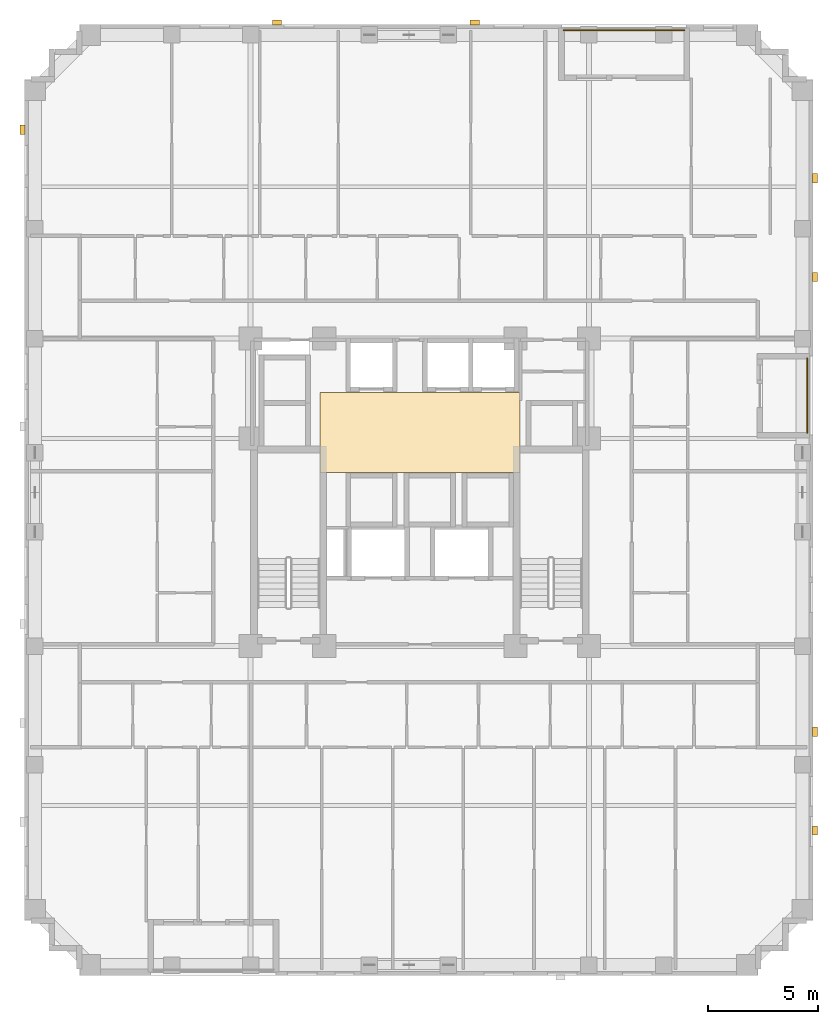
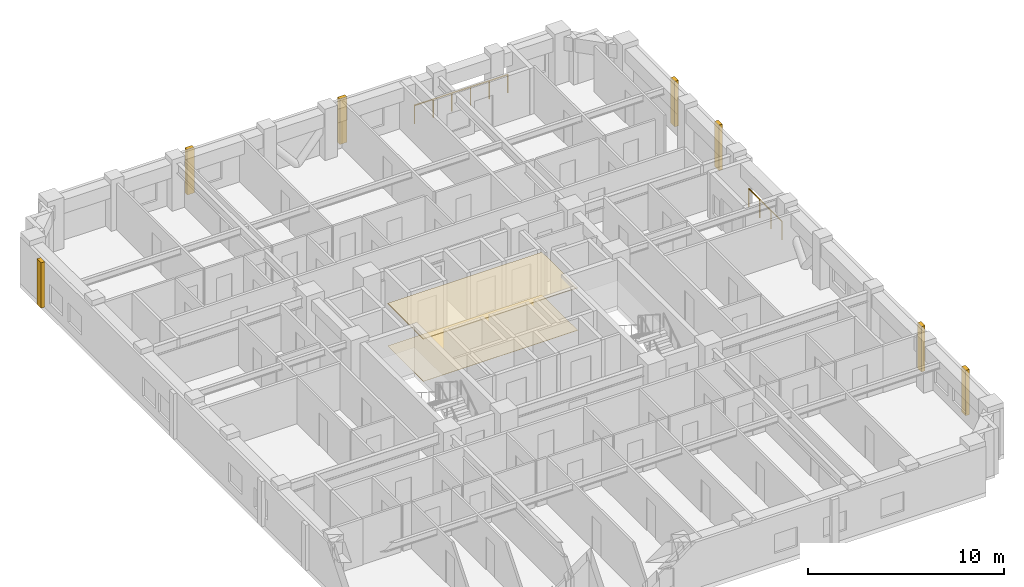
# One storey, part 12 of 12: 9 coverings, 2 railings.
"""IFC4 building model written with IfcOpenShell, lengths in metres."""

from ifc_helpers import new_model, si_unit, derived_unit, direction, frame, origin, origin_2d, place, context, subcontext, project, spatial, polyline, rectangle, circle, outline, extrude, material, layer, layer_set, type_object, element, save


model = new_model("IFC4")

# Units and contexts
model_context = context("Model", 3, precision=1e-05, world=origin(), true_north=direction((0.0, 1.0)))
body_context = subcontext(model_context, "Body", "Model", "MODEL_VIEW")
ifc_project = project(units=[si_unit("LENGTHUNIT", "METRE"), si_unit("AREAUNIT", "SQUARE_METRE"), si_unit("VOLUMEUNIT", "CUBIC_METRE"), si_unit("PLANEANGLEUNIT", "RADIAN"), si_unit("MASSUNIT", "GRAM", prefix="KILO"), derived_unit("THERMALTRANSMITTANCEUNIT", [(si_unit("MASSUNIT", "GRAM", prefix="KILO"), 1), (si_unit("TIMEUNIT", "SECOND"), -3), (si_unit("THERMODYNAMICTEMPERATUREUNIT", "KELVIN"), -1)])], contexts=[model_context])

# Site, building, storey
site_placement = place(None, origin())
site = spatial("IfcSite", under=ifc_project, at=site_placement, CompositionType="ELEMENT")
building_placement = place(site_placement, origin())
building = spatial("IfcBuilding", under=site, at=building_placement, Name="Korrvale Station Residences", CompositionType="ELEMENT")
storey_placement = place(building_placement, frame((0.0, 0.0, 116.699951171875)))
storey = spatial("IfcBuildingStorey", under=building, at=storey_placement, Name="L33", CompositionType="ELEMENT", Elevation=116.699951171875)

# Coverings
ifc_material_1 = material(Name="Perforated acoustic mineral-fibre suspended ceiling", Category="gypsum")
ifc_layer_1 = layer(ifc_material_1, 0.050048828125, Name="Perforated acoustic mineral-fibre suspended ceiling")
ifc_layer_set_1 = layer_set([ifc_layer_1], Name="Perforated acoustic mineral-fibre suspended ceiling")
covering_type_1 = type_object("IfcCoveringType", Name="COV-CLG-AC60", PredefinedType="CEILING", material=ifc_layer_set_1)
covering_1_placement = place(storey_placement, frame((0.0, 0.0, 2.630126953125)))
element("IfcCovering", 1, at=covering_1_placement, inside=storey, type_object=covering_type_1, Name="L33 Elevator Lobby Acoustic Ceiling", PredefinedType="CEILING", context=body_context, shape_type="SweptSolid", body=[
    extrude(outline(polyline([(20.949951171875, 22.89990234375), (30.050048828125, 22.89990234375), (30.050048828125, 26.550048828125), (20.949951171875, 26.550048828125), (20.949951171875, 22.89990234375)])), origin(), (0.0, 0.0, 1.0), 0.0498046875),
])
ifc_material_2 = material(Name="Polished quartz-terrazzo lobby flooring", Category="masonry")
ifc_layer_2 = layer(ifc_material_2, 0.02001953125, Name="Polished quartz-terrazzo lobby flooring")
ifc_layer_set_2 = layer_set([ifc_layer_2], Name="Polished quartz-terrazzo lobby flooring")
covering_type_2 = type_object("IfcCoveringType", Name="COV-FLR-TER20", PredefinedType="FLOORING", material=ifc_layer_set_2)
covering_2_placement = place(storey_placement, origin())
element("IfcCovering", 2, at=covering_2_placement, inside=storey, type_object=covering_type_2, Name="L33 Elevator Lobby Terrazzo Flooring", PredefinedType="FLOORING", context=body_context, shape_type="SweptSolid", body=[
    extrude(outline(polyline([(20.949951171875, 22.89990234375), (30.050048828125, 22.89990234375), (30.050048828125, 26.550048828125), (20.949951171875, 26.550048828125), (20.949951171875, 22.89990234375)])), origin(), (0.0, 0.0, 1.0), 0.02001953125),
])
ifc_material_3 = material(Name="Architectural precast concrete C45/55", Category="concrete")
ifc_layer_3 = layer(ifc_material_3, 0.219970703125, Name="Architectural precast concrete C45/55")
ifc_layer_set_3 = layer_set([ifc_layer_3], Name="Architectural precast concrete C45/55")
covering_type_3 = type_object("IfcCoveringType", Name="COV-PIER-400", PredefinedType="CLADDING", material=ifc_layer_set_3)
for number, where, z_axis, x_axis, name in (
    (3, (19.0, 43.389892578125, 0.02490234375), (0.0, 0.0, 1.0), (1.0, 0.0, 0.0), "L33 Architectural Precast Facade Pier 02"),
    (4, (28.0, 43.389892578125, 0.02490234375), (0.0, 0.0, 1.0), (1.0, 0.0, 0.0), "L33 Architectural Precast Facade Pier 03"),
    (5, (7.409912109375, 38.5, 0.02490234375), (0.0, 0.0, 1.0), (0.0, 1.0, 0.0), "L33 Architectural Precast Facade Pier 08"),
    (6, (43.489990234375, 36.300048828125, 0.02490234375), (0.0, 0.0, 1.0), (0.0, 1.0, 0.0), "L33 Architectural Precast Facade Pier 09"),
    (7, (43.489990234375, 31.800048828125, 0.02490234375), (0.0, 0.0, 1.0), (0.0, 1.0, 0.0), "L33 Architectural Precast Facade Pier 10"),
    (8, (43.489990234375, 11.10009765625, 0.02490234375), (0.0, 0.0, 1.0), (0.0, 1.0, 0.0), "L33 Architectural Precast Facade Pier 11"),
    (9, (43.489990234375, 6.60009765625, 0.02490234375), (0.0, 0.0, 1.0), (0.0, 1.0, 0.0), "L33 Architectural Precast Facade Pier 12"),
):
    element("IfcCovering", number, at=place(storey_placement, frame(where, z_axis=z_axis, x_axis=x_axis)), inside=storey, type_object=covering_type_3, Name=name, PredefinedType="CLADDING", context=body_context, shape_type="SweptSolid", body=[
        extrude(rectangle(XDim=0.419921875, YDim=0.219970703125, at=origin_2d()), origin(), (0.0, 0.0, 1.0), 2.830078125),
    ])

# Railings
ifc_material_4 = material(Name="Powder-coated aluminium picket loggia guard", Category="aluminium")
railing_type = type_object("IfcRailingType", Name="RLG-BAL-1150", PredefinedType="GUARDRAIL", material=ifc_material_4)
railing_1_placement = place(storey_placement, frame((32.050048828125, 43.030029296875, 0.0)))
element("IfcRailing", 10, at=railing_1_placement, inside=storey, type_object=railing_type, Name="L33 Recessed Loggia Guardrail BAL-L33-N1", PredefinedType="GUARDRAIL", context=body_context, shape_type="SweptSolid", body=[
    extrude(circle(Radius=0.02392578125, at=origin_2d()), frame((0.0, 0.0, 1.1259765625), z_axis=(1.0, 0.0, 0.0), x_axis=(0.0, 1.0, 0.0)), (0.0, 0.0, 1.0), 5.5),
    extrude(circle(Radius=0.02099609375, at=origin_2d()), origin(), (0.0, 0.0, 1.0), 1.101806640625),
    extrude(circle(Radius=0.02099609375, at=origin_2d()), frame((1.10009765625, 0.0, 0.0)), (0.0, 0.0, 1.0), 1.101806640625),
    extrude(circle(Radius=0.02099609375, at=origin_2d()), frame((2.199951171875, 0.0, 0.0)), (0.0, 0.0, 1.0), 1.101806640625),
    extrude(circle(Radius=0.02099609375, at=origin_2d()), frame((3.300048828125, 0.0, 0.0)), (0.0, 0.0, 1.0), 1.101806640625),
    extrude(circle(Radius=0.02099609375, at=origin_2d()), frame((4.39990234375, 0.0, 0.0)), (0.0, 0.0, 1.0), 1.101806640625),
    extrude(circle(Radius=0.02099609375, at=origin_2d()), frame((5.5, 0.0, 0.0)), (0.0, 0.0, 1.0), 1.101806640625),
])
railing_2_placement = place(storey_placement, frame((43.1298828125, 24.699951171875, 0.0)))
element("IfcRailing", 11, at=railing_2_placement, inside=storey, type_object=railing_type, Name="L33 Recessed Loggia Guardrail BAL-L33-E1", PredefinedType="GUARDRAIL", context=body_context, shape_type="SweptSolid", body=[
    extrude(circle(Radius=0.02392578125, at=origin_2d()), frame((0.0, 0.0, 1.1259765625), z_axis=(0.0, 1.0, 0.0), x_axis=(-1.0, 0.0, 0.0)), (0.0, 0.0, 1.0), 3.400146484375),
    extrude(circle(Radius=0.02099609375, at=origin_2d()), origin(), (0.0, 0.0, 1.0), 1.101806640625),
    extrude(circle(Radius=0.02099609375, at=origin_2d()), frame((0.0, 1.13330078125, 0.0)), (0.0, 0.0, 1.0), 1.101806640625),
    extrude(circle(Radius=0.02099609375, at=origin_2d()), frame((0.0, 2.266845703125, 0.0)), (0.0, 0.0, 1.0), 1.101806640625),
    extrude(circle(Radius=0.02099609375, at=origin_2d()), frame((0.0, 3.400146484375, 0.0)), (0.0, 0.0, 1.0), 1.101806640625),
])

save(model, "model.ifc")
